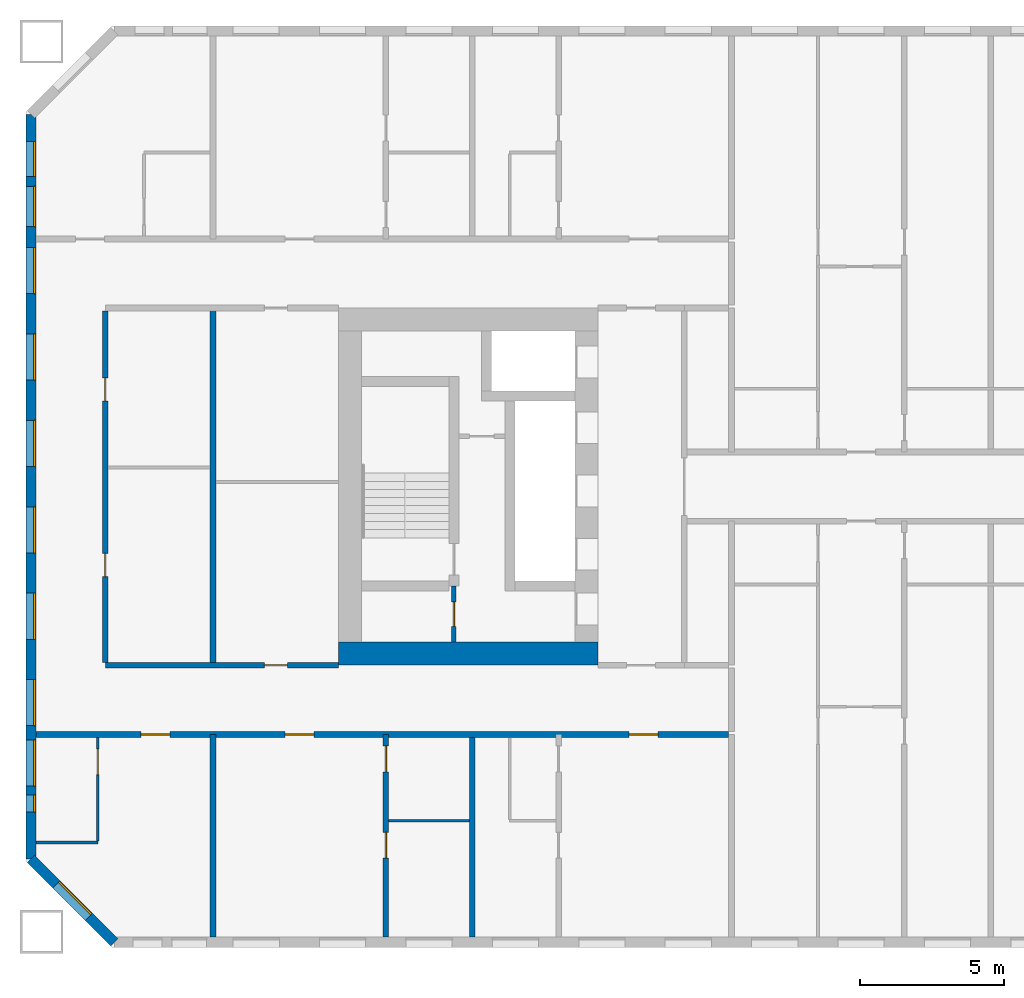
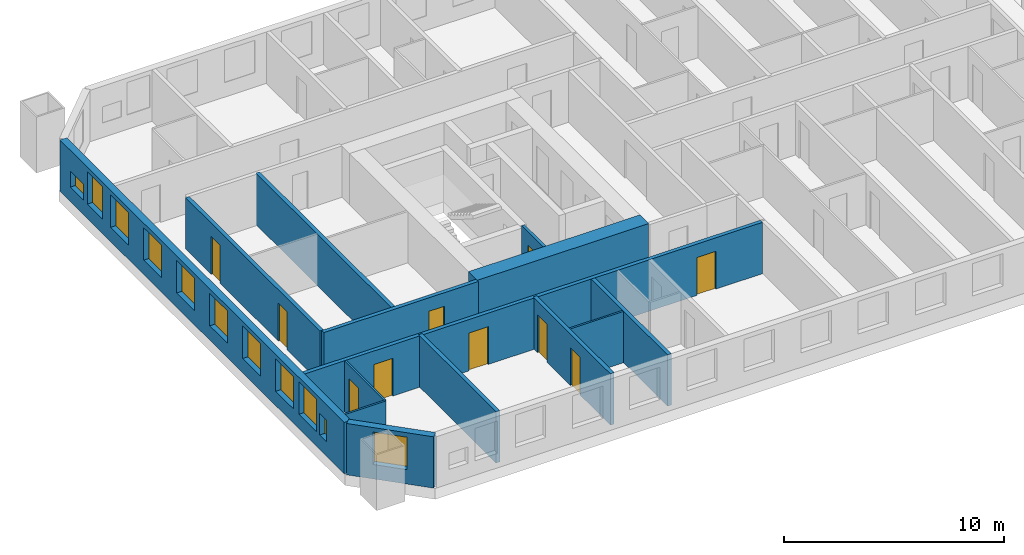
# One storey, part 2 of 17: 14 walls, 11 windows, 10 doors, 21 openings.
"""IFC4 building model written with IfcOpenShell, lengths in metres."""

from ifc_helpers import new_model, si_unit, direction, frame, frame_2d, origin, place, context, subcontext, project, spatial, rectangle, extrude, material, layer, layer_set, type_object, element, fill, save


model = new_model("IFC4")

# Units and contexts
model_context = context("Model", 3, precision=1e-05, world=origin(), true_north=direction((0.0, 1.0)))
body_context = subcontext(model_context, "Body", "Model", "MODEL_VIEW")
ifc_project = project(units=[si_unit("LENGTHUNIT", "METRE"), si_unit("AREAUNIT", "SQUARE_METRE"), si_unit("VOLUMEUNIT", "CUBIC_METRE"), si_unit("PLANEANGLEUNIT", "RADIAN"), si_unit("MASSUNIT", "GRAM", prefix="KILO")], contexts=[model_context])

# Site, building, storey
site_placement = place(None, origin())
site = spatial("IfcSite", under=ifc_project, at=site_placement, CompositionType="ELEMENT")
building_placement = place(site_placement, origin())
building = spatial("IfcBuilding", under=site, at=building_placement, Name="Tuart Gate Housing", CompositionType="ELEMENT")
storey_placement = place(building_placement, frame((0.0, 0.0, 44.300048828125)))
storey = spatial("IfcBuildingStorey", under=building, at=storey_placement, Name="L11", CompositionType="ELEMENT", Elevation=44.300048828125)

# Wall, opening, window
ifc_material_1 = material(Name="Brick", Category="masonry")
ifc_layer_1 = layer(ifc_material_1, 0.360107421875)
ifc_layer_set_1 = layer_set([ifc_layer_1], Name="Brick pier and spandrel wall 360")
wall_type_1 = type_object("IfcWallType", Name="Brick pier and spandrel wall 360", PredefinedType="STANDARD", material=ifc_layer_set_1)
wall_1_placement = place(storey_placement, frame((21.679931640625, 57.07470703125, 0.0), z_axis=(0.0, 0.0, 1.0), x_axis=(0.707106781187, -0.707106781187, 0.0)))
wall_1 = element("IfcWall", 1, at=wall_1_placement, inside=storey, type_object=wall_type_1, Name="External wall A-SW L11", PredefinedType="STANDARD", context=body_context, shape_type="SweptSolid", body=[
    extrude(rectangle(XDim=4.09375, YDim=0.360107421875, at=frame_2d((2.046875, 0.0))), origin(), (0.0, 0.0, 1.0), 2.849853515625),
])
opening_1_placement = place(wall_1_placement, frame((1.2470703125, 0.0, 0.800048828125)))
opening_1 = element("IfcOpeningElement", 2, at=opening_1_placement, cuts=wall_1, Name="Opening W1", PredefinedType="OPENING", context=body_context, shape_type="SweptSolid", body=[
    extrude(rectangle(XDim=1.60009765625, YDim=1.800048828125, at=frame_2d((0.800048828125, 0.89990234375))), frame((0.0, 0.18994140625, 0.0), z_axis=(0.0, -1.0, 0.0), x_axis=(1.0, 0.0, 0.0)), (0.0, 0.0, 1.0), 0.380126953125),
])
ifc_material_2 = material(Name="Aluminium frame with clear glass", Category="aluminium")
window_type_1 = type_object("IfcWindowType", Name="Punched window 1600 x 1800", PartitioningType="SINGLE_PANEL", PredefinedType="WINDOW", material=ifc_material_2)
window_1_placement = place(opening_1_placement, origin())
window_1 = element("IfcWindow", 3, at=window_1_placement, inside=storey, type_object=window_type_1, Name="Window W1", OverallHeight=1.800048828125, OverallWidth=1.60009765625, PartitioningType="SINGLE_PANEL", PredefinedType="WINDOW", context=body_context, shape_type="SweptSolid", body=[
    extrude(rectangle(XDim=1.60009765625, YDim=1.800048828125, at=frame_2d((0.800048828125, 0.89990234375))), frame((0.0, 0.150146484375, 0.0), z_axis=(0.0, -1.0, 0.0), x_axis=(1.0, 0.0, 0.0)), (0.0, 0.0, 1.0), 0.06005859375),
])
fill(opening_1, window_1)

# Wall, openings, windows
wall_2_placement = place(storey_placement, frame((21.679931640625, 82.92529296875, 0.0), z_axis=(0.0, 0.0, 1.0), x_axis=(0.0, -1.0, 0.0)))
wall_2 = element("IfcWall", 4, at=wall_2_placement, inside=storey, type_object=wall_type_1, Name="External wall A-W L11", PredefinedType="STANDARD", context=body_context, shape_type="SweptSolid", body=[
    extrude(rectangle(XDim=25.850830078125, YDim=0.360107421875, at=frame_2d((12.92529296875, 0.0))), origin(), (0.0, 0.0, 1.0), 2.849853515625),
])
opening_2_placement = place(wall_2_placement, frame((0.949951171875, 0.0, 0.800048828125)))
opening_2 = element("IfcOpeningElement", 5, at=opening_2_placement, cuts=wall_2, Name="Opening W1T", PredefinedType="OPENING", context=body_context, shape_type="SweptSolid", body=[
    extrude(rectangle(XDim=1.199951171875, YDim=0.89990234375, at=frame_2d((0.60009765625, 0.449951171875))), frame((0.0, 0.18994140625, 0.0), z_axis=(0.0, -1.0, 0.0), x_axis=(1.0, 0.0, 0.0)), (0.0, 0.0, 1.0), 0.380126953125),
])
opening_3_placement = place(wall_2_placement, frame((4.62548828125, 0.0, 0.800048828125)))
opening_3 = element("IfcOpeningElement", 6, at=opening_3_placement, cuts=wall_2, Name="Opening W1", PredefinedType="OPENING", context=body_context, shape_type="SweptSolid", body=[
    extrude(rectangle(XDim=1.60009765625, YDim=1.800048828125, at=frame_2d((0.800048828125, 0.89990234375))), frame((0.0, 0.18994140625, 0.0), z_axis=(0.0, -1.0, 0.0), x_axis=(1.0, 0.0, 0.0)), (0.0, 0.0, 1.0), 0.380126953125),
])
opening_4_placement = place(wall_2_placement, frame((7.62548828125, 0.0, 0.800048828125)))
opening_4 = element("IfcOpeningElement", 7, at=opening_4_placement, cuts=wall_2, Name="Opening W1", PredefinedType="OPENING", context=body_context, shape_type="SweptSolid", body=[
    extrude(rectangle(XDim=1.60009765625, YDim=1.800048828125, at=frame_2d((0.800048828125, 0.89990234375))), frame((0.0, 0.18994140625, 0.0), z_axis=(0.0, -1.0, 0.0), x_axis=(1.0, 0.0, 0.0)), (0.0, 0.0, 1.0), 0.380126953125),
])
opening_5_placement = place(wall_2_placement, frame((10.62548828125, 0.0, 0.800048828125)))
opening_5 = element("IfcOpeningElement", 8, at=opening_5_placement, cuts=wall_2, Name="Opening W1", PredefinedType="OPENING", context=body_context, shape_type="SweptSolid", body=[
    extrude(rectangle(XDim=1.60009765625, YDim=1.800048828125, at=frame_2d((0.800048828125, 0.89990234375))), frame((0.0, 0.18994140625, 0.0), z_axis=(0.0, -1.0, 0.0), x_axis=(1.0, 0.0, 0.0)), (0.0, 0.0, 1.0), 0.380126953125),
])
opening_6_placement = place(wall_2_placement, frame((13.62548828125, 0.0, 0.800048828125)))
opening_6 = element("IfcOpeningElement", 9, at=opening_6_placement, cuts=wall_2, Name="Opening W1", PredefinedType="OPENING", context=body_context, shape_type="SweptSolid", body=[
    extrude(rectangle(XDim=1.60009765625, YDim=1.800048828125, at=frame_2d((0.800048828125, 0.89990234375))), frame((0.0, 0.18994140625, 0.0), z_axis=(0.0, -1.0, 0.0), x_axis=(1.0, 0.0, 0.0)), (0.0, 0.0, 1.0), 0.380126953125),
])
opening_7_placement = place(wall_2_placement, frame((16.62548828125, 0.0, 0.800048828125)))
opening_7 = element("IfcOpeningElement", 10, at=opening_7_placement, cuts=wall_2, Name="Opening W1", PredefinedType="OPENING", context=body_context, shape_type="SweptSolid", body=[
    extrude(rectangle(XDim=1.60009765625, YDim=1.800048828125, at=frame_2d((0.800048828125, 0.89990234375))), frame((0.0, 0.18994140625, 0.0), z_axis=(0.0, -1.0, 0.0), x_axis=(1.0, 0.0, 0.0)), (0.0, 0.0, 1.0), 0.380126953125),
])
opening_8_placement = place(wall_2_placement, frame((19.62548828125, 0.0, 0.800048828125)))
opening_8 = element("IfcOpeningElement", 11, at=opening_8_placement, cuts=wall_2, Name="Opening W1", PredefinedType="OPENING", context=body_context, shape_type="SweptSolid", body=[
    extrude(rectangle(XDim=1.60009765625, YDim=1.800048828125, at=frame_2d((0.800048828125, 0.89990234375))), frame((0.0, 0.18994140625, 0.0), z_axis=(0.0, -1.0, 0.0), x_axis=(1.0, 0.0, 0.0)), (0.0, 0.0, 1.0), 0.380126953125),
])
opening_9_placement = place(wall_2_placement, frame((21.725341796875, 0.0, 0.800048828125)))
opening_9 = element("IfcOpeningElement", 12, at=opening_9_placement, cuts=wall_2, Name="Opening W1", PredefinedType="OPENING", context=body_context, shape_type="SweptSolid", body=[
    extrude(rectangle(XDim=1.60009765625, YDim=1.800048828125, at=frame_2d((0.800048828125, 0.89990234375))), frame((0.0, 0.18994140625, 0.0), z_axis=(0.0, -1.0, 0.0), x_axis=(1.0, 0.0, 0.0)), (0.0, 0.0, 1.0), 0.380126953125),
])
opening_10_placement = place(wall_2_placement, frame((2.5, 0.0, 0.800048828125)))
opening_10 = element("IfcOpeningElement", 13, at=opening_10_placement, cuts=wall_2, Name="Opening W1A", PredefinedType="OPENING", context=body_context, shape_type="SweptSolid", body=[
    extrude(rectangle(XDim=1.39990234375, YDim=1.800048828125, at=frame_2d((0.699951171875, 0.89990234375))), frame((0.0, 0.18994140625, 0.0), z_axis=(0.0, -1.0, 0.0), x_axis=(1.0, 0.0, 0.0)), (0.0, 0.0, 1.0), 0.380126953125),
])
opening_11_placement = place(wall_2_placement, frame((23.62548828125, 0.0, 0.800048828125)))
opening_11 = element("IfcOpeningElement", 14, at=opening_11_placement, cuts=wall_2, Name="Opening W1Q", PredefinedType="OPENING", context=body_context, shape_type="SweptSolid", body=[
    extrude(rectangle(XDim=0.60009765625, YDim=1.199951171875, at=frame_2d((0.300048828125, 0.60009765625))), frame((0.0, 0.18994140625, 0.0), z_axis=(0.0, -1.0, 0.0), x_axis=(1.0, 0.0, 0.0)), (0.0, 0.0, 1.0), 0.380126953125),
])
ifc_material_3 = material(Name="Aluminium frame with clear glass", Category="aluminium")
window_type_2 = type_object("IfcWindowType", Name="Punched window 1200 x 900", PartitioningType="SINGLE_PANEL", PredefinedType="WINDOW", material=ifc_material_3)
window_2_placement = place(opening_2_placement, origin())
window_2 = element("IfcWindow", 15, at=window_2_placement, inside=storey, type_object=window_type_2, Name="Window W1T", OverallHeight=0.89990234375, OverallWidth=1.199951171875, PartitioningType="SINGLE_PANEL", PredefinedType="WINDOW", context=body_context, shape_type="SweptSolid", body=[
    extrude(rectangle(XDim=1.199951171875, YDim=0.89990234375, at=frame_2d((0.60009765625, 0.449951171875))), frame((0.0, 0.150146484375, 0.0), z_axis=(0.0, -1.0, 0.0), x_axis=(1.0, 0.0, 0.0)), (0.0, 0.0, 1.0), 0.06005859375),
])
fill(opening_2, window_2)
ifc_material_4 = material(Name="Aluminium frame with clear glass", Category="aluminium")
window_type_3 = type_object("IfcWindowType", Name="Punched window 1400 x 1800", PartitioningType="SINGLE_PANEL", PredefinedType="WINDOW", material=ifc_material_4)
window_3_placement = place(opening_10_placement, origin())
window_3 = element("IfcWindow", 16, at=window_3_placement, inside=storey, type_object=window_type_3, Name="Window W1A", OverallHeight=1.800048828125, OverallWidth=1.39990234375, PartitioningType="SINGLE_PANEL", PredefinedType="WINDOW", context=body_context, shape_type="SweptSolid", body=[
    extrude(rectangle(XDim=1.39990234375, YDim=1.800048828125, at=frame_2d((0.699951171875, 0.89990234375))), frame((0.0, 0.150146484375, 0.0), z_axis=(0.0, -1.0, 0.0), x_axis=(1.0, 0.0, 0.0)), (0.0, 0.0, 1.0), 0.06005859375),
])
fill(opening_10, window_3)
window_4_placement = place(opening_3_placement, origin())
window_4 = element("IfcWindow", 17, at=window_4_placement, inside=storey, type_object=window_type_1, Name="Window W1", OverallHeight=1.800048828125, OverallWidth=1.60009765625, PartitioningType="SINGLE_PANEL", PredefinedType="WINDOW", context=body_context, shape_type="SweptSolid", body=[
    extrude(rectangle(XDim=1.60009765625, YDim=1.800048828125, at=frame_2d((0.800048828125, 0.89990234375))), frame((0.0, 0.150146484375, 0.0), z_axis=(0.0, -1.0, 0.0), x_axis=(1.0, 0.0, 0.0)), (0.0, 0.0, 1.0), 0.06005859375),
])
fill(opening_3, window_4)
window_5_placement = place(opening_4_placement, origin())
window_5 = element("IfcWindow", 18, at=window_5_placement, inside=storey, type_object=window_type_1, Name="Window W1", OverallHeight=1.800048828125, OverallWidth=1.60009765625, PartitioningType="SINGLE_PANEL", PredefinedType="WINDOW", context=body_context, shape_type="SweptSolid", body=[
    extrude(rectangle(XDim=1.60009765625, YDim=1.800048828125, at=frame_2d((0.800048828125, 0.89990234375))), frame((0.0, 0.150146484375, 0.0), z_axis=(0.0, -1.0, 0.0), x_axis=(1.0, 0.0, 0.0)), (0.0, 0.0, 1.0), 0.06005859375),
])
fill(opening_4, window_5)
window_6_placement = place(opening_5_placement, origin())
window_6 = element("IfcWindow", 19, at=window_6_placement, inside=storey, type_object=window_type_1, Name="Window W1", OverallHeight=1.800048828125, OverallWidth=1.60009765625, PartitioningType="SINGLE_PANEL", PredefinedType="WINDOW", context=body_context, shape_type="SweptSolid", body=[
    extrude(rectangle(XDim=1.60009765625, YDim=1.800048828125, at=frame_2d((0.800048828125, 0.89990234375))), frame((0.0, 0.150146484375, 0.0), z_axis=(0.0, -1.0, 0.0), x_axis=(1.0, 0.0, 0.0)), (0.0, 0.0, 1.0), 0.06005859375),
])
fill(opening_5, window_6)
window_7_placement = place(opening_6_placement, origin())
window_7 = element("IfcWindow", 20, at=window_7_placement, inside=storey, type_object=window_type_1, Name="Window W1", OverallHeight=1.800048828125, OverallWidth=1.60009765625, PartitioningType="SINGLE_PANEL", PredefinedType="WINDOW", context=body_context, shape_type="SweptSolid", body=[
    extrude(rectangle(XDim=1.60009765625, YDim=1.800048828125, at=frame_2d((0.800048828125, 0.89990234375))), frame((0.0, 0.150146484375, 0.0), z_axis=(0.0, -1.0, 0.0), x_axis=(1.0, 0.0, 0.0)), (0.0, 0.0, 1.0), 0.06005859375),
])
fill(opening_6, window_7)
window_8_placement = place(opening_7_placement, origin())
window_8 = element("IfcWindow", 21, at=window_8_placement, inside=storey, type_object=window_type_1, Name="Window W1", OverallHeight=1.800048828125, OverallWidth=1.60009765625, PartitioningType="SINGLE_PANEL", PredefinedType="WINDOW", context=body_context, shape_type="SweptSolid", body=[
    extrude(rectangle(XDim=1.60009765625, YDim=1.800048828125, at=frame_2d((0.800048828125, 0.89990234375))), frame((0.0, 0.150146484375, 0.0), z_axis=(0.0, -1.0, 0.0), x_axis=(1.0, 0.0, 0.0)), (0.0, 0.0, 1.0), 0.06005859375),
])
fill(opening_7, window_8)
window_9_placement = place(opening_8_placement, origin())
window_9 = element("IfcWindow", 22, at=window_9_placement, inside=storey, type_object=window_type_1, Name="Window W1", OverallHeight=1.800048828125, OverallWidth=1.60009765625, PartitioningType="SINGLE_PANEL", PredefinedType="WINDOW", context=body_context, shape_type="SweptSolid", body=[
    extrude(rectangle(XDim=1.60009765625, YDim=1.800048828125, at=frame_2d((0.800048828125, 0.89990234375))), frame((0.0, 0.150146484375, 0.0), z_axis=(0.0, -1.0, 0.0), x_axis=(1.0, 0.0, 0.0)), (0.0, 0.0, 1.0), 0.06005859375),
])
fill(opening_8, window_9)
window_10_placement = place(opening_9_placement, origin())
window_10 = element("IfcWindow", 23, at=window_10_placement, inside=storey, type_object=window_type_1, Name="Window W1", OverallHeight=1.800048828125, OverallWidth=1.60009765625, PartitioningType="SINGLE_PANEL", PredefinedType="WINDOW", context=body_context, shape_type="SweptSolid", body=[
    extrude(rectangle(XDim=1.60009765625, YDim=1.800048828125, at=frame_2d((0.800048828125, 0.89990234375))), frame((0.0, 0.150146484375, 0.0), z_axis=(0.0, -1.0, 0.0), x_axis=(1.0, 0.0, 0.0)), (0.0, 0.0, 1.0), 0.06005859375),
])
fill(opening_9, window_10)
ifc_material_5 = material(Name="Aluminium frame with clear glass", Category="aluminium")
window_type_4 = type_object("IfcWindowType", Name="Punched window 600 x 1200", PartitioningType="SINGLE_PANEL", PredefinedType="WINDOW", material=ifc_material_5)
window_11_placement = place(opening_11_placement, origin())
window_11 = element("IfcWindow", 24, at=window_11_placement, inside=storey, type_object=window_type_4, Name="Window W1Q", OverallHeight=1.199951171875, OverallWidth=0.60009765625, PartitioningType="SINGLE_PANEL", PredefinedType="WINDOW", context=body_context, shape_type="SweptSolid", body=[
    extrude(rectangle(XDim=0.60009765625, YDim=1.199951171875, at=frame_2d((0.300048828125, 0.60009765625))), frame((0.0, 0.150146484375, 0.0), z_axis=(0.0, -1.0, 0.0), x_axis=(1.0, 0.0, 0.0)), (0.0, 0.0, 1.0), 0.06005859375),
])
fill(opening_11, window_11)

# Wall, opening, door
ifc_material_6 = material(Name="Plasterboard partition")
ifc_layer_2 = layer(ifc_material_6, 0.14990234375)
ifc_layer_set_2 = layer_set([ifc_layer_2], Name="Core partition 150")
wall_type_2 = type_object("IfcWallType", Name="Core partition 150", PredefinedType="PARTITIONING", material=ifc_layer_set_2)
wall_3_placement = place(storey_placement, frame((36.360107421875, 66.550048828125, 0.0), z_axis=(0.0, 0.0, 1.0), x_axis=(0.0, -1.0, 0.0)))
wall_3 = element("IfcWall", 25, at=wall_3_placement, inside=storey, type_object=wall_type_2, Name="Core partition AK.9", PredefinedType="PARTITIONING", context=body_context, shape_type="SweptSolid", body=[
    extrude(rectangle(XDim=1.949951171875, YDim=0.14990234375, at=frame_2d((0.97509765625, 0.0))), origin(), (0.0, 0.0, 1.0), 2.849853515625),
])
opening_12_placement = place(wall_3_placement, frame((0.550048828125, 0.0, 0.0)))
opening_12 = element("IfcOpeningElement", 26, at=opening_12_placement, cuts=wall_3, Name="Opening D629", PredefinedType="OPENING", context=body_context, shape_type="SweptSolid", body=[
    extrude(rectangle(XDim=0.85009765625, YDim=2.10009765625, at=frame_2d((0.425048828125, 1.050048828125))), frame((0.0, 0.0849609375, 0.0), z_axis=(0.0, -1.0, 0.0), x_axis=(1.0, 0.0, 0.0)), (0.0, 0.0, 1.0), 0.169921875),
])
ifc_material_7 = material(Name="Steel fire door", Category="steel")
door_type_1 = type_object("IfcDoorType", Name="Service door 850 x 2100 RH", OperationType="SINGLE_SWING_RIGHT", PredefinedType="DOOR", material=ifc_material_7)
door_1_placement = place(opening_12_placement, frame((0.85009765625, 0.0, 0.0), z_axis=(0.0, 0.0, 1.0), x_axis=(-1.0, 0.0, 0.0)))
door_1 = element("IfcDoor", 27, at=door_1_placement, inside=storey, type_object=door_type_1, Name="Service room door AK.ST", OperationType="SINGLE_SWING_RIGHT", OverallHeight=2.10009765625, OverallWidth=0.85009765625, PredefinedType="DOOR", context=body_context, shape_type="SweptSolid", body=[
    extrude(rectangle(XDim=0.85009765625, YDim=2.10009765625, at=frame_2d((0.425048828125, 1.050048828125))), frame((0.0, 0.025146484375, 0.0), z_axis=(0.0, -1.0, 0.0), x_axis=(1.0, 0.0, 0.0)), (0.0, 0.0, 1.0), 0.050048828125),
])
fill(opening_12, door_1)

# Wall
ifc_material_8 = material(Name="Concrete C60", Category="concrete")
ifc_layer_3 = layer(ifc_material_8, 0.800048828125)
ifc_layer_set_3 = layer_set([ifc_layer_3], Name="Core wall 800 C60")
wall_type_3 = type_object("IfcWallType", Name="Core wall 800 C60", PredefinedType="SHEAR", material=ifc_layer_set_3)
wall_4_placement = place(storey_placement, frame((41.360107421875, 64.199951171875, 0.0), z_axis=(0.0, 0.0, 1.0), x_axis=(-1.0, 0.0, 0.0)))
element("IfcWall", 28, at=wall_4_placement, inside=storey, type_object=wall_type_3, Name="Core wall AK north", PredefinedType="SHEAR", context=body_context, shape_type="SweptSolid", body=[
    extrude(rectangle(XDim=9.0, YDim=0.800048828125, at=frame_2d((4.5, 0.0))), origin(), (0.0, 0.0, 1.0), 2.849853515625),
])

# Wall, openings, doors
ifc_material_9 = material(Name="Concrete masonry 15 MPa", Category="masonry")
ifc_layer_4 = layer(ifc_material_9, 0.199951171875)
ifc_layer_set_4 = layer_set([ifc_layer_4], Name="Corridor wall masonry 200")
wall_type_4 = type_object("IfcWallType", Name="Corridor wall masonry 200", PredefinedType="PARTITIONING", material=ifc_layer_set_4)
wall_5_placement = place(storey_placement, frame((21.860107421875, 61.39990234375, 0.0), z_axis=(0.0, 0.0, 1.0), x_axis=(1.0, 0.0, 0.0)))
wall_5 = element("IfcWall", 29, at=wall_5_placement, inside=storey, type_object=wall_type_4, Name="Corridor wall masonry 200", PredefinedType="PARTITIONING", context=body_context, shape_type="SweptSolid", body=[
    extrude(rectangle(XDim=24.039794921875, YDim=0.199951171875, at=frame_2d((12.02001953125, 0.0))), origin(), (0.0, 0.0, 1.0), 2.849853515625),
])
opening_13_placement = place(wall_5_placement, frame((20.590087890625, 0.0, 0.0)))
opening_13 = element("IfcOpeningElement", 30, at=opening_13_placement, cuts=wall_5, Name="Opening D644", PredefinedType="OPENING", context=body_context, shape_type="SweptSolid", body=[
    extrude(rectangle(XDim=1.0, YDim=2.10009765625, at=frame_2d((0.5, 1.050048828125))), frame((0.0, 0.10986328125, 0.0), z_axis=(0.0, -1.0, 0.0), x_axis=(1.0, 0.0, 0.0)), (0.0, 0.0, 1.0), 0.219970703125),
])
opening_14_placement = place(wall_5_placement, frame((8.639892578125, 0.0, 0.0)))
opening_14 = element("IfcOpeningElement", 31, at=opening_14_placement, cuts=wall_5, Name="Opening D645", PredefinedType="OPENING", context=body_context, shape_type="SweptSolid", body=[
    extrude(rectangle(XDim=1.0, YDim=2.10009765625, at=frame_2d((0.5, 1.050048828125))), frame((0.0, 0.10986328125, 0.0), z_axis=(0.0, -1.0, 0.0), x_axis=(1.0, 0.0, 0.0)), (0.0, 0.0, 1.0), 0.219970703125),
])
opening_15_placement = place(wall_5_placement, frame((3.639892578125, 0.0, 0.0)))
opening_15 = element("IfcOpeningElement", 32, at=opening_15_placement, cuts=wall_5, Name="Opening D646", PredefinedType="OPENING", context=body_context, shape_type="SweptSolid", body=[
    extrude(rectangle(XDim=1.0, YDim=2.10009765625, at=frame_2d((0.5, 1.050048828125))), frame((0.0, 0.10986328125, 0.0), z_axis=(0.0, -1.0, 0.0), x_axis=(1.0, 0.0, 0.0)), (0.0, 0.0, 1.0), 0.219970703125),
])
ifc_material_10 = material(Name="Timber door leaf in steel frame", Category="steel")
door_type_2 = type_object("IfcDoorType", Name="Flat entrance door 1000 RH", OperationType="SINGLE_SWING_RIGHT", PredefinedType="DOOR", material=ifc_material_10)
door_2_placement = place(opening_13_placement, frame((1.0, 0.0, 0.0), z_axis=(0.0, 0.0, 1.0), x_axis=(-1.0, 0.0, 0.0)))
door_2 = element("IfcDoor", 33, at=door_2_placement, inside=storey, type_object=door_type_2, Name="Flat entrance door", OperationType="SINGLE_SWING_RIGHT", OverallHeight=2.10009765625, OverallWidth=1.0, PredefinedType="DOOR", context=body_context, shape_type="SweptSolid", body=[
    extrude(rectangle(XDim=1.0, YDim=2.10009765625, at=frame_2d((0.5, 1.050048828125))), frame((0.0, 0.025146484375, 0.0), z_axis=(0.0, -1.0, 0.0), x_axis=(1.0, 0.0, 0.0)), (0.0, 0.0, 1.0), 0.050048828125),
])
fill(opening_13, door_2)
door_3_placement = place(opening_14_placement, frame((1.0, 0.0, 0.0), z_axis=(0.0, 0.0, 1.0), x_axis=(-1.0, 0.0, 0.0)))
door_3 = element("IfcDoor", 34, at=door_3_placement, inside=storey, type_object=door_type_2, Name="Flat entrance door", OperationType="SINGLE_SWING_RIGHT", OverallHeight=2.10009765625, OverallWidth=1.0, PredefinedType="DOOR", context=body_context, shape_type="SweptSolid", body=[
    extrude(rectangle(XDim=1.0, YDim=2.10009765625, at=frame_2d((0.5, 1.050048828125))), frame((0.0, 0.025146484375, 0.0), z_axis=(0.0, -1.0, 0.0), x_axis=(1.0, 0.0, 0.0)), (0.0, 0.0, 1.0), 0.050048828125),
])
fill(opening_14, door_3)
door_4_placement = place(opening_15_placement, frame((1.0, 0.0, 0.0), z_axis=(0.0, 0.0, 1.0), x_axis=(-1.0, 0.0, 0.0)))
door_4 = element("IfcDoor", 35, at=door_4_placement, inside=storey, type_object=door_type_2, Name="Flat entrance door", OperationType="SINGLE_SWING_RIGHT", OverallHeight=2.10009765625, OverallWidth=1.0, PredefinedType="DOOR", context=body_context, shape_type="SweptSolid", body=[
    extrude(rectangle(XDim=1.0, YDim=2.10009765625, at=frame_2d((0.5, 1.050048828125))), frame((0.0, 0.025146484375, 0.0), z_axis=(0.0, -1.0, 0.0), x_axis=(1.0, 0.0, 0.0)), (0.0, 0.0, 1.0), 0.050048828125),
])
fill(opening_15, door_4)

# Wall, opening, door
wall_6_placement = place(storey_placement, frame((24.260009765625, 63.800048828125, 0.0), z_axis=(0.0, 0.0, 1.0), x_axis=(1.0, 0.0, 0.0)))
wall_6 = element("IfcWall", 36, at=wall_6_placement, inside=storey, type_object=wall_type_4, Name="Corridor wall masonry 200", PredefinedType="PARTITIONING", context=body_context, shape_type="SweptSolid", body=[
    extrude(rectangle(XDim=8.10009765625, YDim=0.199951171875, at=frame_2d((4.050048828125, 0.0))), origin(), (0.0, 0.0, 1.0), 2.849853515625),
])
opening_16_placement = place(wall_6_placement, frame((5.52001953125, 0.0, 0.0)))
opening_16 = element("IfcOpeningElement", 37, at=opening_16_placement, cuts=wall_6, Name="Opening D631", PredefinedType="OPENING", context=body_context, shape_type="SweptSolid", body=[
    extrude(rectangle(XDim=0.800048828125, YDim=2.10009765625, at=frame_2d((0.39990234375, 1.050048828125))), frame((0.0, 0.10986328125, 0.0), z_axis=(0.0, -1.0, 0.0), x_axis=(1.0, 0.0, 0.0)), (0.0, 0.0, 1.0), 0.219970703125),
])
ifc_material_11 = material(Name="Timber door leaf in steel frame", Category="steel")
door_type_3 = type_object("IfcDoorType", Name="Store door 800", OperationType="SINGLE_SWING_LEFT", PredefinedType="DOOR", material=ifc_material_11)
door_5_placement = place(opening_16_placement, origin())
door_5 = element("IfcDoor", 38, at=door_5_placement, inside=storey, type_object=door_type_3, Name="Store door", OperationType="SINGLE_SWING_LEFT", OverallHeight=2.10009765625, OverallWidth=0.800048828125, PredefinedType="DOOR", context=body_context, shape_type="SweptSolid", body=[
    extrude(rectangle(XDim=0.800048828125, YDim=2.10009765625, at=frame_2d((0.39990234375, 1.050048828125))), frame((0.0, 0.02490234375, 0.0), z_axis=(0.0, -1.0, 0.0), x_axis=(1.0, 0.0, 0.0)), (0.0, 0.0, 1.0), 0.050048828125),
])
fill(opening_16, door_5)

# Wall, openings, doors
wall_7_placement = place(storey_placement, frame((24.260009765625, 63.89990234375, 0.0), z_axis=(0.0, 0.0, 1.0), x_axis=(0.0, 1.0, 0.0)))
wall_7 = element("IfcWall", 39, at=wall_7_placement, inside=storey, type_object=wall_type_4, Name="Corridor wall masonry 200", PredefinedType="PARTITIONING", context=body_context, shape_type="SweptSolid", body=[
    extrude(rectangle(XDim=12.2001953125, YDim=0.199951171875, at=frame_2d((6.10009765625, 0.0))), origin(), (0.0, 0.0, 1.0), 2.849853515625),
])
opening_17_placement = place(wall_7_placement, frame((2.97998046875, 0.0, 0.0)))
opening_17 = element("IfcOpeningElement", 40, at=opening_17_placement, cuts=wall_7, Name="Opening D620", PredefinedType="OPENING", context=body_context, shape_type="SweptSolid", body=[
    extrude(rectangle(XDim=0.800048828125, YDim=2.10009765625, at=frame_2d((0.39990234375, 1.050048828125))), frame((0.0, 0.10986328125, 0.0), z_axis=(0.0, -1.0, 0.0), x_axis=(1.0, 0.0, 0.0)), (0.0, 0.0, 1.0), 0.219970703125),
])
opening_18_placement = place(wall_7_placement, frame((9.080078125, 0.0, 0.0)))
opening_18 = element("IfcOpeningElement", 41, at=opening_18_placement, cuts=wall_7, Name="Opening D621", PredefinedType="OPENING", context=body_context, shape_type="SweptSolid", body=[
    extrude(rectangle(XDim=0.800048828125, YDim=2.10009765625, at=frame_2d((0.39990234375, 1.050048828125))), frame((0.0, 0.10986328125, 0.0), z_axis=(0.0, -1.0, 0.0), x_axis=(1.0, 0.0, 0.0)), (0.0, 0.0, 1.0), 0.219970703125),
])
door_6_placement = place(opening_17_placement, frame((0.800048828125, 0.0, 0.0), z_axis=(0.0, 0.0, 1.0), x_axis=(-1.0, 0.0, 0.0)))
door_6 = element("IfcDoor", 42, at=door_6_placement, inside=storey, type_object=door_type_3, Name="Store door", OperationType="SINGLE_SWING_LEFT", OverallHeight=2.10009765625, OverallWidth=0.800048828125, PredefinedType="DOOR", context=body_context, shape_type="SweptSolid", body=[
    extrude(rectangle(XDim=0.800048828125, YDim=2.10009765625, at=frame_2d((0.400146484375, 1.050048828125))), frame((0.0, 0.025146484375, 0.0), z_axis=(0.0, -1.0, 0.0), x_axis=(1.0, 0.0, 0.0)), (0.0, 0.0, 1.0), 0.050048828125),
])
fill(opening_17, door_6)
ifc_material_12 = material(Name="Timber door leaf in steel frame", Category="steel")
door_type_4 = type_object("IfcDoorType", Name="Store door 800 RH", OperationType="SINGLE_SWING_RIGHT", PredefinedType="DOOR", material=ifc_material_12)
door_7_placement = place(opening_18_placement, frame((0.800048828125, 0.0, 0.0), z_axis=(0.0, 0.0, 1.0), x_axis=(-1.0, 0.0, 0.0)))
door_7 = element("IfcDoor", 43, at=door_7_placement, inside=storey, type_object=door_type_4, Name="Store door", OperationType="SINGLE_SWING_RIGHT", OverallHeight=2.10009765625, OverallWidth=0.800048828125, PredefinedType="DOOR", context=body_context, shape_type="SweptSolid", body=[
    extrude(rectangle(XDim=0.800048828125, YDim=2.10009765625, at=frame_2d((0.400146484375, 1.050048828125))), frame((0.0, 0.025146484375, 0.0), z_axis=(0.0, -1.0, 0.0), x_axis=(1.0, 0.0, 0.0)), (0.0, 0.0, 1.0), 0.050048828125),
])
fill(opening_18, door_7)

# Walls
ifc_material_13 = material(Name="Gypsum board on steel studs", Category="steel")
ifc_layer_5 = layer(ifc_material_13, 0.10009765625)
ifc_layer_set_5 = layer_set([ifc_layer_5], Name="Partition 100")
wall_type_5 = type_object("IfcWallType", Name="Partition 100", PredefinedType="PARTITIONING", material=ifc_layer_set_5)
wall_8_placement = place(storey_placement, frame((21.860107421875, 57.64990234375, 0.0), z_axis=(0.0, 0.0, 1.0), x_axis=(1.0, 0.0, 0.0)))
element("IfcWall", 44, at=wall_8_placement, inside=storey, type_object=wall_type_5, Name="Partition 100", PredefinedType="PARTITIONING", context=body_context, shape_type="SweptSolid", body=[
    extrude(rectangle(XDim=2.139892578125, YDim=0.10009765625, at=frame_2d((1.06982421875, 0.0))), origin(), (0.0, 0.0, 1.0), 2.849853515625),
])
wall_9_placement = place(storey_placement, frame((34.10009765625, 58.39990234375, 0.0), z_axis=(0.0, 0.0, 1.0), x_axis=(1.0, 0.0, 0.0)))
element("IfcWall", 45, at=wall_9_placement, inside=storey, type_object=wall_type_5, Name="Partition 100", PredefinedType="PARTITIONING", context=body_context, shape_type="SweptSolid", body=[
    extrude(rectangle(XDim=2.7998046875, YDim=0.10009765625, at=frame_2d((1.39990234375, 0.0))), origin(), (0.0, 0.0, 1.0), 2.849853515625),
])

# Wall, opening, door
wall_10_placement = place(storey_placement, frame((24.0, 57.699951171875, 0.0), z_axis=(0.0, 0.0, 1.0), x_axis=(0.0, 1.0, 0.0)))
wall_10 = element("IfcWall", 46, at=wall_10_placement, inside=storey, type_object=wall_type_5, Name="Partition 100", PredefinedType="PARTITIONING", context=body_context, shape_type="SweptSolid", body=[
    extrude(rectangle(XDim=3.60009765625, YDim=0.10009765625, at=frame_2d((1.800048828125, 0.0))), origin(), (0.0, 0.0, 1.0), 2.849853515625),
])
opening_19_placement = place(wall_10_placement, frame((2.300048828125, 0.0, 0.0)))
opening_19 = element("IfcOpeningElement", 47, at=opening_19_placement, cuts=wall_10, Name="Opening D649", PredefinedType="OPENING", context=body_context, shape_type="SweptSolid", body=[
    extrude(rectangle(XDim=0.89990234375, YDim=2.10009765625, at=frame_2d((0.449951171875, 1.050048828125))), frame((0.0, 0.06005859375, 0.0), z_axis=(0.0, -1.0, 0.0), x_axis=(1.0, 0.0, 0.0)), (0.0, 0.0, 1.0), 0.1201171875),
])
ifc_material_14 = material(Name="Timber door leaf in steel frame", Category="steel")
door_type_5 = type_object("IfcDoorType", Name="Bathroom door 900 RH", OperationType="SINGLE_SWING_RIGHT", PredefinedType="DOOR", material=ifc_material_14)
door_8_placement = place(opening_19_placement, origin())
door_8 = element("IfcDoor", 48, at=door_8_placement, inside=storey, type_object=door_type_5, Name="Bathroom door", OperationType="SINGLE_SWING_RIGHT", OverallHeight=2.10009765625, OverallWidth=0.89990234375, PredefinedType="DOOR", context=body_context, shape_type="SweptSolid", body=[
    extrude(rectangle(XDim=0.89990234375, YDim=2.10009765625, at=frame_2d((0.449951171875, 1.050048828125))), frame((0.0, 0.02490234375, 0.0), z_axis=(0.0, -1.0, 0.0), x_axis=(1.0, 0.0, 0.0)), (0.0, 0.0, 1.0), 0.050048828125),
])
fill(opening_19, door_8)

# Walls
ifc_material_15 = material(Name="Concrete C40", Category="concrete")
ifc_layer_6 = layer(ifc_material_15, 0.199951171875)
ifc_layer_set_6 = layer_set([ifc_layer_6], Name="Party wall concrete C40 200")
wall_type_6 = type_object("IfcWallType", Name="Party wall concrete C40 200", PredefinedType="SOLIDWALL", material=ifc_layer_set_6)
wall_11_placement = place(storey_placement, frame((28.0, 54.360107421875, 0.0), z_axis=(0.0, 0.0, 1.0), x_axis=(0.0, 1.0, 0.0)))
element("IfcWall", 49, at=wall_11_placement, inside=storey, type_object=wall_type_6, Name="Party wall concrete C40 200", PredefinedType="SOLIDWALL", context=body_context, shape_type="SweptSolid", body=[
    extrude(rectangle(XDim=7.039794921875, YDim=0.199951171875, at=frame_2d((3.52001953125, 0.0))), origin(), (0.0, 0.0, 1.0), 2.849853515625),
])
wall_12_placement = place(storey_placement, frame((28.0, 63.800048828125, 0.0), z_axis=(0.0, 0.0, 1.0), x_axis=(0.0, 1.0, 0.0)))
element("IfcWall", 50, at=wall_12_placement, inside=storey, type_object=wall_type_6, Name="Party wall concrete C40 200", PredefinedType="SOLIDWALL", context=body_context, shape_type="SweptSolid", body=[
    extrude(rectangle(XDim=12.39990234375, YDim=0.199951171875, at=frame_2d((6.199951171875, 0.0))), origin(), (0.0, 0.0, 1.0), 2.849853515625),
])

# Wall, openings, doors
wall_13_placement = place(storey_placement, frame((34.0, 54.360107421875, 0.0), z_axis=(0.0, 0.0, 1.0), x_axis=(0.0, 1.0, 0.0)))
wall_13 = element("IfcWall", 51, at=wall_13_placement, inside=storey, type_object=wall_type_6, Name="Party wall concrete C40 200", PredefinedType="SOLIDWALL", context=body_context, shape_type="SweptSolid", body=[
    extrude(rectangle(XDim=7.039794921875, YDim=0.199951171875, at=frame_2d((3.52001953125, 0.0))), origin(), (0.0, 0.0, 1.0), 2.849853515625),
])
opening_20_placement = place(wall_13_placement, frame((2.739990234375, 0.0, 0.0)))
opening_20 = element("IfcOpeningElement", 52, at=opening_20_placement, cuts=wall_13, Name="Opening D653", PredefinedType="OPENING", context=body_context, shape_type="SweptSolid", body=[
    extrude(rectangle(XDim=0.89990234375, YDim=2.10009765625, at=frame_2d((0.449951171875, 1.050048828125))), frame((0.0, 0.10986328125, 0.0), z_axis=(0.0, -1.0, 0.0), x_axis=(1.0, 0.0, 0.0)), (0.0, 0.0, 1.0), 0.219970703125),
])
opening_21_placement = place(wall_13_placement, frame((5.739990234375, 0.0, 0.0)))
opening_21 = element("IfcOpeningElement", 53, at=opening_21_placement, cuts=wall_13, Name="Opening D652", PredefinedType="OPENING", context=body_context, shape_type="SweptSolid", body=[
    extrude(rectangle(XDim=0.89990234375, YDim=2.10009765625, at=frame_2d((0.449951171875, 1.050048828125))), frame((0.0, 0.10986328125, 0.0), z_axis=(0.0, -1.0, 0.0), x_axis=(1.0, 0.0, 0.0)), (0.0, 0.0, 1.0), 0.219970703125),
])
ifc_material_16 = material(Name="Timber door leaf in steel frame", Category="steel")
door_type_6 = type_object("IfcDoorType", Name="Bathroom door 900", OperationType="SINGLE_SWING_LEFT", PredefinedType="DOOR", material=ifc_material_16)
door_9_placement = place(opening_21_placement, frame((0.89990234375, 0.0, 0.0), z_axis=(0.0, 0.0, 1.0), x_axis=(-1.0, 0.0, 0.0)))
door_9 = element("IfcDoor", 54, at=door_9_placement, inside=storey, type_object=door_type_6, Name="Bathroom door", OperationType="SINGLE_SWING_LEFT", OverallHeight=2.10009765625, OverallWidth=0.89990234375, PredefinedType="DOOR", context=body_context, shape_type="SweptSolid", body=[
    extrude(rectangle(XDim=0.89990234375, YDim=2.10009765625, at=frame_2d((0.449951171875, 1.050048828125))), frame((0.0, 0.025146484375, 0.0), z_axis=(0.0, -1.0, 0.0), x_axis=(1.0, 0.0, 0.0)), (0.0, 0.0, 1.0), 0.050048828125),
])
fill(opening_21, door_9)
ifc_material_17 = material(Name="Timber door leaf in steel frame", Category="steel")
door_type_7 = type_object("IfcDoorType", Name="Internal door 900", OperationType="SINGLE_SWING_LEFT", PredefinedType="DOOR", material=ifc_material_17)
door_10_placement = place(opening_20_placement, frame((0.89990234375, 0.0, 0.0), z_axis=(0.0, 0.0, 1.0), x_axis=(-1.0, 0.0, 0.0)))
door_10 = element("IfcDoor", 55, at=door_10_placement, inside=storey, type_object=door_type_7, Name="Internal door", OperationType="SINGLE_SWING_LEFT", OverallHeight=2.10009765625, OverallWidth=0.89990234375, PredefinedType="DOOR", context=body_context, shape_type="SweptSolid", body=[
    extrude(rectangle(XDim=0.89990234375, YDim=2.10009765625, at=frame_2d((0.449951171875, 1.050048828125))), frame((0.0, 0.025146484375, 0.0), z_axis=(0.0, -1.0, 0.0), x_axis=(1.0, 0.0, 0.0)), (0.0, 0.0, 1.0), 0.050048828125),
])
fill(opening_20, door_10)

# Wall
ifc_material_18 = material(Name="Concrete masonry 15 MPa", Category="masonry")
ifc_layer_7 = layer(ifc_material_18, 0.199951171875)
ifc_layer_set_7 = layer_set([ifc_layer_7], Name="Party wall masonry 200")
wall_type_7 = type_object("IfcWallType", Name="Party wall masonry 200", PredefinedType="PARTITIONING", material=ifc_layer_set_7)
wall_14_placement = place(storey_placement, frame((37.0, 54.360107421875, 0.0), z_axis=(0.0, 0.0, 1.0), x_axis=(0.0, 1.0, 0.0)))
element("IfcWall", 56, at=wall_14_placement, inside=storey, type_object=wall_type_7, Name="Party wall masonry 200", PredefinedType="PARTITIONING", context=body_context, shape_type="SweptSolid", body=[
    extrude(rectangle(XDim=6.93994140625, YDim=0.199951171875, at=frame_2d((3.469970703125, 0.0))), origin(), (0.0, 0.0, 1.0), 2.849853515625),
])

save(model, "model.ifc")
